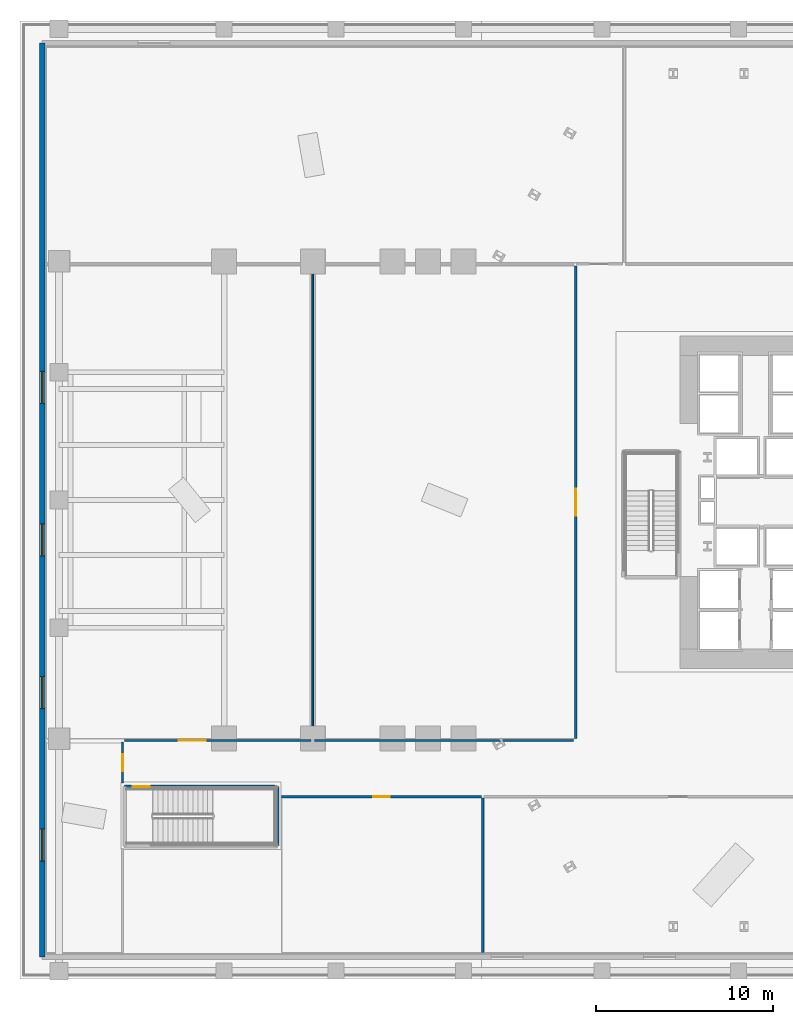
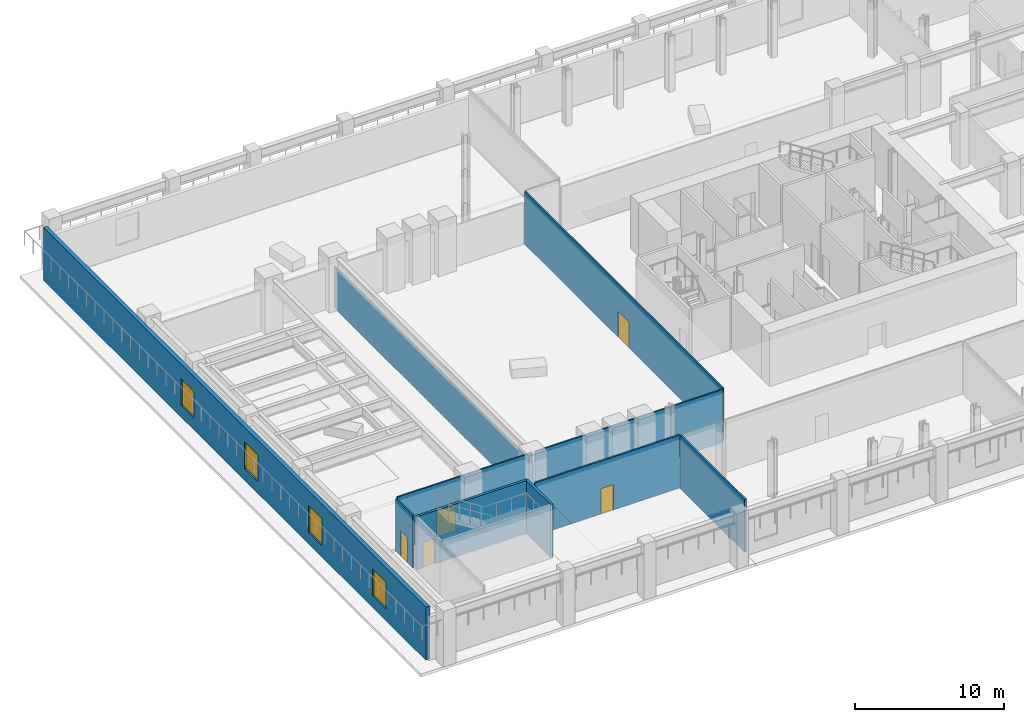
# One storey, part 3 of 18: 10 walls, 5 doors, 4 windows, 9 openings.
"""IFC4 building model written with IfcOpenShell, lengths in metres."""

from ifc_helpers import new_model, si_unit, direction, frame, frame_2d, origin, place, context, subcontext, project, spatial, rectangle, extrude, material, layer, layer_set, type_object, element, fill, save


model = new_model("IFC4")

# Units and contexts
model_context = context("Model", 3, precision=1e-05, world=origin(), true_north=direction((0.0, 1.0)))
body_context = subcontext(model_context, "Body", "Model", "MODEL_VIEW")
ifc_project = project(units=[si_unit("LENGTHUNIT", "METRE"), si_unit("AREAUNIT", "SQUARE_METRE"), si_unit("VOLUMEUNIT", "CUBIC_METRE"), si_unit("PLANEANGLEUNIT", "RADIAN"), si_unit("MASSUNIT", "GRAM", prefix="KILO")], contexts=[model_context])

# Site, building, storey
site_placement = place(None, origin())
site = spatial("IfcSite", under=ifc_project, at=site_placement, CompositionType="ELEMENT")
building_placement = place(site_placement, origin())
building = spatial("IfcBuilding", under=site, at=building_placement, Name="Valkerne Bourse Tower", CompositionType="ELEMENT")
storey_placement = place(building_placement, frame((0.0, 0.0, 14.800048828125)))
storey = spatial("IfcBuildingStorey", under=building, at=storey_placement, Name="L03", CompositionType="ELEMENT", Elevation=14.800048828125)

# Wall, opening, door
ifc_material_1 = material(Name="Gypsum Board Steel-Stud Partition", Category="steel")
ifc_layer_1 = layer(ifc_material_1, 0.117919921875)
ifc_layer_set_1 = layer_set([ifc_layer_1], Name="Gypsum Board Steel-Stud Partition")
wall_type_1 = type_object("IfcWallType", Name="W-CORR-140", PredefinedType="PARTITIONING", material=ifc_layer_set_1)
wall_1_placement = place(storey_placement, frame((5.780029296875, 11.050048828125, 0.0), z_axis=(0.0, 0.0, 1.0), x_axis=(0.0, 1.0, 0.0)))
wall_1 = element("IfcWall", 1, at=wall_1_placement, inside=storey, type_object=wall_type_1, Name="L03 L03 South-West Operations Office Wall", PredefinedType="PARTITIONING", context=body_context, shape_type="SweptSolid", body=[
    extrude(rectangle(XDim=2.300048828125, YDim=0.117919921875, at=frame_2d((1.14990234375, 0.0))), origin(), (0.0, 0.0, 1.0), 4.35986328125),
])
opening_1_placement = place(wall_1_placement, frame((0.675048828125, 0.0, 0.0)))
opening_1 = element("IfcOpeningElement", 2, at=opening_1_placement, cuts=wall_1, Name="Opening D-OF-950", PredefinedType="OPENING", context=body_context, shape_type="SweptSolid", body=[
    extrude(rectangle(XDim=0.949951171875, YDim=2.10009765625, at=frame_2d((0.47509765625, 1.050048828125))), frame((0.0, 0.06884765625, 0.0), z_axis=(0.0, -1.0, 0.0), x_axis=(1.0, 0.0, 0.0)), (0.0, 0.0, 1.0), 0.137939453125),
])
ifc_material_2 = material(Name="Architectural White Oak Timber", Category="wood")
door_type_1 = type_object("IfcDoorType", Name="DR-OFF-950", OperationType="NOTDEFINED", PredefinedType="DOOR", material=ifc_material_2)
door_1_placement = place(opening_1_placement, origin())
door_1 = element("IfcDoor", 3, at=door_1_placement, inside=storey, type_object=door_type_1, Name="L03 L03 SW Office Door", OperationType="SINGLE_SWING_LEFT", OverallHeight=2.10009765625, OverallWidth=0.949951171875, PredefinedType="DOOR", context=body_context, shape_type="SweptSolid", body=[
    extrude(rectangle(XDim=0.949951171875, YDim=2.10009765625, at=frame_2d((0.47509765625, 1.050048828125))), frame((0.0, 0.02490234375, 0.0), z_axis=(0.0, -1.0, 0.0), x_axis=(1.0, 0.0, 0.0)), (0.0, 0.0, 1.0), 0.050048828125),
])
fill(opening_1, door_1)

wall_2_placement = place(storey_placement, frame((5.89990234375, 13.449951171875, 0.0), z_axis=(0.0, 0.0, 1.0), x_axis=(1.0, 0.0, 0.0)))
wall_2 = element("IfcWall", 4, at=wall_2_placement, inside=storey, type_object=wall_type_1, Name="L03 L03 West Options Trading Office Wall", PredefinedType="PARTITIONING", context=body_context, shape_type="SweptSolid", body=[
    extrude(rectangle(XDim=10.5, YDim=0.117919921875, at=frame_2d((5.25, 0.0))), origin(), (0.0, 0.0, 1.0), 4.35986328125),
])
opening_2_placement = place(wall_2_placement, frame((3.06005859375, 0.0, 0.0)))
opening_2 = element("IfcOpeningElement", 5, at=opening_2_placement, cuts=wall_2, Name="Opening D-CR-1500", PredefinedType="OPENING", context=body_context, shape_type="SweptSolid", body=[
    extrude(rectangle(XDim=1.5, YDim=2.14990234375, at=frame_2d((0.75, 1.074951171875))), frame((0.0, 0.06884765625, 0.0), z_axis=(0.0, -1.0, 0.0), x_axis=(1.0, 0.0, 0.0)), (0.0, 0.0, 1.0), 0.137939453125),
])
ifc_material_3 = material(Name="Galvanised Painted Steel", Category="steel")
door_type_2 = type_object("IfcDoorType", Name="DR-CORR-1500", OperationType="DOUBLE_DOOR_SINGLE_SWING", PredefinedType="DOOR", material=ifc_material_3)
door_2_placement = place(opening_2_placement, origin())
door_2 = element("IfcDoor", 6, at=door_2_placement, inside=storey, type_object=door_type_2, Name="L03 L03 West Options Office Door", OperationType="DOUBLE_DOOR_SINGLE_SWING", OverallHeight=2.14990234375, OverallWidth=1.5, PredefinedType="DOOR", context=body_context, shape_type="SweptSolid", body=[
    extrude(rectangle(XDim=1.5, YDim=2.14990234375, at=frame_2d((0.75, 1.074951171875))), frame((0.0, 0.02490234375, 0.0), z_axis=(0.0, -1.0, 0.0), x_axis=(1.0, 0.0, 0.0)), (0.0, 0.0, 1.0), 0.050048828125),
])
fill(opening_2, door_2)

# Wall
wall_3_placement = place(storey_placement, frame((16.60009765625, 13.449951171875, 0.0), z_axis=(0.0, 0.0, 1.0), x_axis=(1.0, 0.0, 0.0)))
element("IfcWall", 7, at=wall_3_placement, inside=storey, type_object=wall_type_1, Name="L03 L03 Central Futures Trading Office Wall", PredefinedType="PARTITIONING", context=body_context, shape_type="SweptSolid", body=[
    extrude(rectangle(XDim=14.599853515625, YDim=0.117919921875, at=frame_2d((7.2998046875, 0.0))), origin(), (0.0, 0.0, 1.0), 4.35986328125),
])

# Wall, opening, door
wall_4_placement = place(storey_placement, frame((31.320068359375, 13.550048828125, 0.0), z_axis=(0.0, 0.0, 1.0), x_axis=(0.0, 1.0, 0.0)))
wall_4 = element("IfcWall", 8, at=wall_4_placement, inside=storey, type_object=wall_type_1, Name="L03 L03 Central Futures Trading Office Wall", PredefinedType="PARTITIONING", context=body_context, shape_type="SweptSolid", body=[
    extrude(rectangle(XDim=26.64990234375, YDim=0.117919921875, at=frame_2d((13.324951171875, 0.0))), origin(), (0.0, 0.0, 1.0), 4.35986328125),
])
opening_3_placement = place(wall_4_placement, frame((12.574951171875, 0.0, 0.0)))
opening_3 = element("IfcOpeningElement", 9, at=opening_3_placement, cuts=wall_4, Name="Opening D-CR-1500", PredefinedType="OPENING", context=body_context, shape_type="SweptSolid", body=[
    extrude(rectangle(XDim=1.5, YDim=2.14990234375, at=frame_2d((0.75, 1.074951171875))), frame((0.0, 0.06884765625, 0.0), z_axis=(0.0, -1.0, 0.0), x_axis=(1.0, 0.0, 0.0)), (0.0, 0.0, 1.0), 0.137939453125),
])
door_3_placement = place(opening_3_placement, origin())
door_3 = element("IfcDoor", 10, at=door_3_placement, inside=storey, type_object=door_type_2, Name="L03 L03 Central Futures Office Door", OperationType="DOUBLE_DOOR_SINGLE_SWING", OverallHeight=2.14990234375, OverallWidth=1.5, PredefinedType="DOOR", context=body_context, shape_type="SweptSolid", body=[
    extrude(rectangle(XDim=1.5, YDim=2.14990234375, at=frame_2d((0.75, 1.074951171875))), frame((0.0, 0.02490234375, 0.0), z_axis=(0.0, -1.0, 0.0), x_axis=(1.0, 0.0, 0.0)), (0.0, 0.0, 1.0), 0.050048828125),
])
fill(opening_3, door_3)

# Wall, openings, windows
ifc_material_4 = material(Name="Bronze Anodised Aluminium AA 6063-T6", Category="aluminium")
ifc_layer_2 = layer(ifc_material_4, 0.300048828125)
ifc_layer_set_2 = layer_set([ifc_layer_2], Name="Bronze Anodised Aluminium AA 6063-T6")
wall_type_2 = type_object("IfcWallType", Name="W-EXT-ALUM-300", PredefinedType="STANDARD", material=ifc_layer_set_2)
wall_5_placement = place(storey_placement, frame((1.25, 1.25, 0.0), z_axis=(0.0, 0.0, 1.0), x_axis=(0.0, 1.0, 0.0)))
wall_5 = element("IfcWall", 11, at=wall_5_placement, inside=storey, type_object=wall_type_2, Name="L03 Podium Exterior Wall WEST", PredefinedType="STANDARD", context=body_context, shape_type="SweptSolid", body=[
    extrude(rectangle(XDim=51.5, YDim=0.300048828125, at=frame_2d((25.75, 0.0))), origin(), (0.0, 0.0, 1.0), 4.35986328125),
])
opening_4_placement = place(wall_5_placement, frame((5.39990234375, 0.0, 0.949951171875)))
opening_4 = element("IfcOpeningElement", 12, at=opening_4_placement, cuts=wall_5, Name="Opening WN-03", PredefinedType="OPENING", context=body_context, shape_type="SweptSolid", body=[
    extrude(rectangle(XDim=1.800048828125, YDim=2.199951171875, at=frame_2d((0.89990234375, 1.10009765625))), frame((0.0, 0.159912109375, 0.0), z_axis=(0.0, -1.0, 0.0), x_axis=(1.0, 0.0, 0.0)), (0.0, 0.0, 1.0), 0.320068359375),
])
opening_5_placement = place(wall_5_placement, frame((14.0, 0.0, 0.949951171875)))
opening_5 = element("IfcOpeningElement", 13, at=opening_5_placement, cuts=wall_5, Name="Opening WN-03", PredefinedType="OPENING", context=body_context, shape_type="SweptSolid", body=[
    extrude(rectangle(XDim=1.800048828125, YDim=2.199951171875, at=frame_2d((0.89990234375, 1.10009765625))), frame((0.0, 0.159912109375, 0.0), z_axis=(0.0, -1.0, 0.0), x_axis=(1.0, 0.0, 0.0)), (0.0, 0.0, 1.0), 0.320068359375),
])
opening_6_placement = place(wall_5_placement, frame((22.60009765625, 0.0, 0.949951171875)))
opening_6 = element("IfcOpeningElement", 14, at=opening_6_placement, cuts=wall_5, Name="Opening WN-03", PredefinedType="OPENING", context=body_context, shape_type="SweptSolid", body=[
    extrude(rectangle(XDim=1.800048828125, YDim=2.199951171875, at=frame_2d((0.89990234375, 1.10009765625))), frame((0.0, 0.159912109375, 0.0), z_axis=(0.0, -1.0, 0.0), x_axis=(1.0, 0.0, 0.0)), (0.0, 0.0, 1.0), 0.320068359375),
])
opening_7_placement = place(wall_5_placement, frame((31.199951171875, 0.0, 0.949951171875)))
opening_7 = element("IfcOpeningElement", 15, at=opening_7_placement, cuts=wall_5, Name="Opening WN-03", PredefinedType="OPENING", context=body_context, shape_type="SweptSolid", body=[
    extrude(rectangle(XDim=1.800048828125, YDim=2.199951171875, at=frame_2d((0.89990234375, 1.10009765625))), frame((0.0, 0.159912109375, 0.0), z_axis=(0.0, -1.0, 0.0), x_axis=(1.0, 0.0, 0.0)), (0.0, 0.0, 1.0), 0.320068359375),
])
ifc_material_5 = material(Name="Glass IGU Low-E Double Glazed", Category="glass")
window_type = type_object("IfcWindowType", Name="WIN-POD-1800X2200", PartitioningType="SINGLE_PANEL", PredefinedType="WINDOW", material=ifc_material_5)
window_1_placement = place(opening_4_placement, origin())
window_1 = element("IfcWindow", 16, at=window_1_placement, inside=storey, type_object=window_type, Name="L03 Podium Low-E Window 01", OverallHeight=2.199951171875, OverallWidth=1.800048828125, PartitioningType="SINGLE_PANEL", PredefinedType="WINDOW", context=body_context, shape_type="SweptSolid", body=[
    extrude(rectangle(XDim=1.800048828125, YDim=2.199951171875, at=frame_2d((0.89990234375, 1.10009765625))), frame((0.0, 0.030029296875, 0.0), z_axis=(0.0, -1.0, 0.0), x_axis=(1.0, 0.0, 0.0)), (0.0, 0.0, 1.0), 0.06005859375),
])
fill(opening_4, window_1)
window_2_placement = place(opening_5_placement, origin())
window_2 = element("IfcWindow", 17, at=window_2_placement, inside=storey, type_object=window_type, Name="L03 Podium Low-E Window 02", OverallHeight=2.199951171875, OverallWidth=1.800048828125, PartitioningType="SINGLE_PANEL", PredefinedType="WINDOW", context=body_context, shape_type="SweptSolid", body=[
    extrude(rectangle(XDim=1.800048828125, YDim=2.199951171875, at=frame_2d((0.89990234375, 1.10009765625))), frame((0.0, 0.030029296875, 0.0), z_axis=(0.0, -1.0, 0.0), x_axis=(1.0, 0.0, 0.0)), (0.0, 0.0, 1.0), 0.06005859375),
])
fill(opening_5, window_2)
window_3_placement = place(opening_6_placement, origin())
window_3 = element("IfcWindow", 18, at=window_3_placement, inside=storey, type_object=window_type, Name="L03 Podium Low-E Window 03", OverallHeight=2.199951171875, OverallWidth=1.800048828125, PartitioningType="SINGLE_PANEL", PredefinedType="WINDOW", context=body_context, shape_type="SweptSolid", body=[
    extrude(rectangle(XDim=1.800048828125, YDim=2.199951171875, at=frame_2d((0.89990234375, 1.10009765625))), frame((0.0, 0.030029296875, 0.0), z_axis=(0.0, -1.0, 0.0), x_axis=(1.0, 0.0, 0.0)), (0.0, 0.0, 1.0), 0.06005859375),
])
fill(opening_6, window_3)
window_4_placement = place(opening_7_placement, origin())
window_4 = element("IfcWindow", 19, at=window_4_placement, inside=storey, type_object=window_type, Name="L03 Podium Low-E Window 04", OverallHeight=2.199951171875, OverallWidth=1.800048828125, PartitioningType="SINGLE_PANEL", PredefinedType="WINDOW", context=body_context, shape_type="SweptSolid", body=[
    extrude(rectangle(XDim=1.800048828125, YDim=2.199951171875, at=frame_2d((0.89990234375, 1.10009765625))), frame((0.0, 0.030029296875, 0.0), z_axis=(0.0, -1.0, 0.0), x_axis=(1.0, 0.0, 0.0)), (0.0, 0.0, 1.0), 0.06005859375),
])
fill(opening_7, window_4)

# Wall
ifc_layer_3 = layer(ifc_material_1, 0.092041015625)
ifc_layer_set_3 = layer_set([ifc_layer_3], Name="Gypsum Board Steel-Stud Partition")
wall_type_3 = type_object("IfcWallType", Name="W-PART-115", PredefinedType="PARTITIONING", material=ifc_layer_set_3)
wall_6_placement = place(storey_placement, frame((16.5, 13.550048828125, 0.0), z_axis=(0.0, 0.0, 1.0), x_axis=(0.0, 1.0, 0.0)))
element("IfcWall", 20, at=wall_6_placement, inside=storey, type_object=wall_type_3, Name="L03 L03 West Options Trading Office Wall", PredefinedType="PARTITIONING", context=body_context, shape_type="SweptSolid", body=[
    extrude(rectangle(XDim=26.64990234375, YDim=0.092041015625, at=frame_2d((13.324951171875, 0.0))), origin(), (0.0, 0.0, 1.0), 3.400146484375),
])

# Wall, opening, door
ifc_material_6 = material(Name="Concrete C40/50", Category="concrete")
ifc_layer_4 = layer(ifc_material_6, 0.199951171875)
ifc_layer_set_4 = layer_set([ifc_layer_4], Name="Concrete C40/50")
wall_type_4 = type_object("IfcWallType", Name="W-SHF-200", PredefinedType="SHEAR", material=ifc_layer_set_4)
wall_7_placement = place(storey_placement, frame((5.89990234375, 10.85009765625, 0.0), z_axis=(0.0, 0.0, 1.0), x_axis=(1.0, 0.0, 0.0)))
wall_7 = element("IfcWall", 21, at=wall_7_placement, inside=storey, type_object=wall_type_4, Name="L03 Exit Stair ST-P1 Structural North Wall", PredefinedType="SHEAR", context=body_context, shape_type="SweptSolid", body=[
    extrude(rectangle(XDim=8.60009765625, YDim=0.199951171875, at=frame_2d((4.300048828125, 0.0))), origin(), (0.0, 0.0, 1.0), 4.35986328125),
])
opening_8_placement = place(wall_7_placement, frame((0.449951171875, 0.0, 0.0)))
opening_8 = element("IfcOpeningElement", 22, at=opening_8_placement, cuts=wall_7, Name="Opening D-ST-950", PredefinedType="OPENING", context=body_context, shape_type="SweptSolid", body=[
    extrude(rectangle(XDim=0.949951171875, YDim=2.10009765625, at=frame_2d((0.47509765625, 1.050048828125))), frame((0.0, 0.10986328125, 0.0), z_axis=(0.0, -1.0, 0.0), x_axis=(1.0, 0.0, 0.0)), (0.0, 0.0, 1.0), 0.219970703125),
])
door_type_3 = type_object("IfcDoorType", Name="DR-STAIR-950", OperationType="NOTDEFINED", PredefinedType="DOOR", material=ifc_material_3)
door_4_placement = place(opening_8_placement, origin())
door_4 = element("IfcDoor", 23, at=door_4_placement, inside=storey, type_object=door_type_3, Name="L03 Exit Stair ST-P1 Door", OperationType="SINGLE_SWING_RIGHT", OverallHeight=2.10009765625, OverallWidth=0.949951171875, PredefinedType="DOOR", context=body_context, shape_type="SweptSolid", body=[
    extrude(rectangle(XDim=0.949951171875, YDim=2.10009765625, at=frame_2d((0.47509765625, 1.050048828125))), frame((0.0, 0.02490234375, 0.0), z_axis=(0.0, -1.0, 0.0), x_axis=(1.0, 0.0, 0.0)), (0.0, 0.0, 1.0), 0.050048828125),
])
fill(opening_8, door_4)

# Walls
wall_8_placement = place(storey_placement, frame((14.5, 7.5, 0.0), z_axis=(0.0, 0.0, 1.0), x_axis=(0.0, 1.0, 0.0)))
element("IfcWall", 24, at=wall_8_placement, inside=storey, type_object=wall_type_4, Name="L03 Exit Stair ST-P1 Structural East Wall", PredefinedType="SHEAR", context=body_context, shape_type="SweptSolid", body=[
    extrude(rectangle(XDim=3.35009765625, YDim=0.199951171875, at=frame_2d((1.675048828125, 0.0))), origin(), (0.0, 0.0, 1.0), 4.35986328125),
])
ifc_material_7 = material(Name="Moisture-Resistant Gypsum Partition", Category="gypsum")
ifc_layer_5 = layer(ifc_material_7, 0.139892578125)
ifc_layer_set_5 = layer_set([ifc_layer_5], Name="Moisture-Resistant Gypsum Partition")
wall_type_5 = type_object("IfcWallType", Name="W-WET-140", PredefinedType="PARTITIONING", material=ifc_layer_set_5)
wall_9_placement = place(storey_placement, frame((26.080078125, 1.5, 0.0), z_axis=(0.0, 0.0, 1.0), x_axis=(0.0, 1.0, 0.0)))
element("IfcWall", 25, at=wall_9_placement, inside=storey, type_object=wall_type_5, Name="L03 L03 Staff Break Kitchen & Pantry Wall", PredefinedType="PARTITIONING", context=body_context, shape_type="SweptSolid", body=[
    extrude(rectangle(XDim=8.699951171875, YDim=0.139892578125, at=frame_2d((4.35009765625, 0.0))), origin(), (0.0, 0.0, 1.0), 4.35986328125),
])

# Wall, opening, door
wall_10_placement = place(storey_placement, frame((14.75, 10.280029296875, 0.0), z_axis=(0.0, 0.0, 1.0), x_axis=(1.0, 0.0, 0.0)))
wall_10 = element("IfcWall", 26, at=wall_10_placement, inside=storey, type_object=wall_type_5, Name="L03 L03 Staff Break Kitchen & Pantry Wall", PredefinedType="PARTITIONING", context=body_context, shape_type="SweptSolid", body=[
    extrude(rectangle(XDim=11.25, YDim=0.139892578125, at=frame_2d((5.625, 0.0))), origin(), (0.0, 0.0, 1.0), 4.35986328125),
])
opening_9_placement = place(wall_10_placement, frame((5.14990234375, 0.0, 0.0)))
opening_9 = element("IfcOpeningElement", 27, at=opening_9_placement, cuts=wall_10, Name="Opening D-OF-950", PredefinedType="OPENING", context=body_context, shape_type="SweptSolid", body=[
    extrude(rectangle(XDim=0.949951171875, YDim=2.10009765625, at=frame_2d((0.47509765625, 1.050048828125))), frame((0.0, 0.079833984375, 0.0), z_axis=(0.0, -1.0, 0.0), x_axis=(1.0, 0.0, 0.0)), (0.0, 0.0, 1.0), 0.159912109375),
])
door_5_placement = place(opening_9_placement, origin())
door_5 = element("IfcDoor", 28, at=door_5_placement, inside=storey, type_object=door_type_1, Name="L03 L03 Staff Kitchen Door", OperationType="SINGLE_SWING_RIGHT", OverallHeight=2.10009765625, OverallWidth=0.949951171875, PredefinedType="DOOR", context=body_context, shape_type="SweptSolid", body=[
    extrude(rectangle(XDim=0.949951171875, YDim=2.10009765625, at=frame_2d((0.47509765625, 1.050048828125))), frame((0.0, 0.02490234375, 0.0), z_axis=(0.0, -1.0, 0.0), x_axis=(1.0, 0.0, 0.0)), (0.0, 0.0, 1.0), 0.050048828125),
])
fill(opening_9, door_5)

save(model, "model.ifc")
